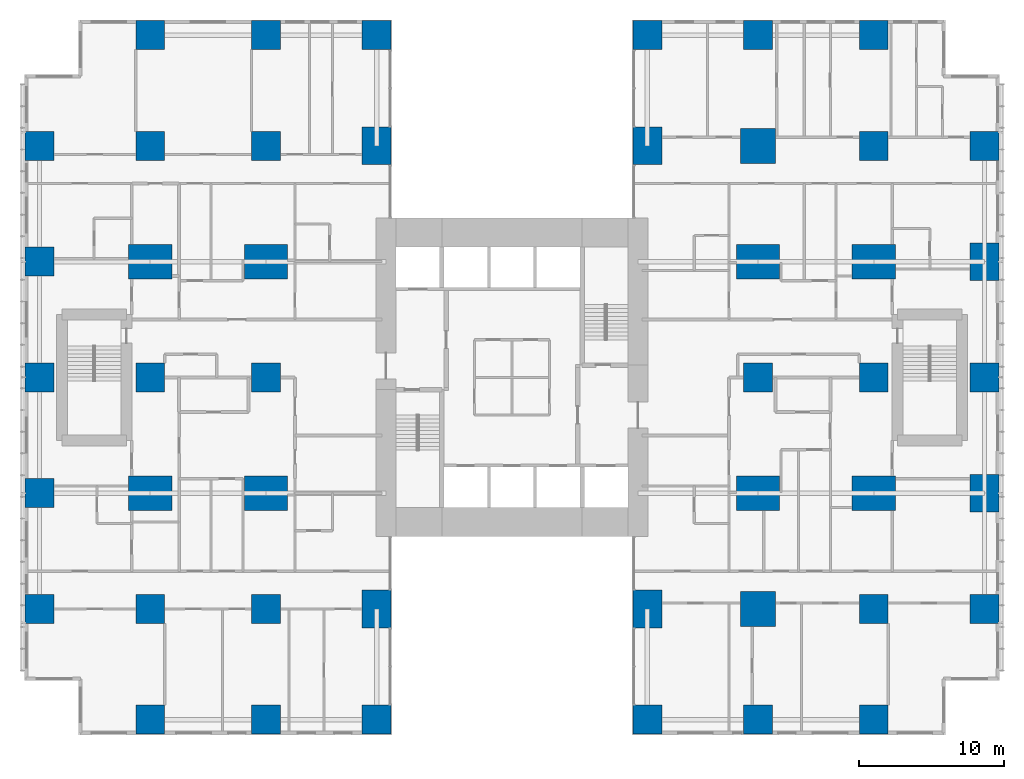
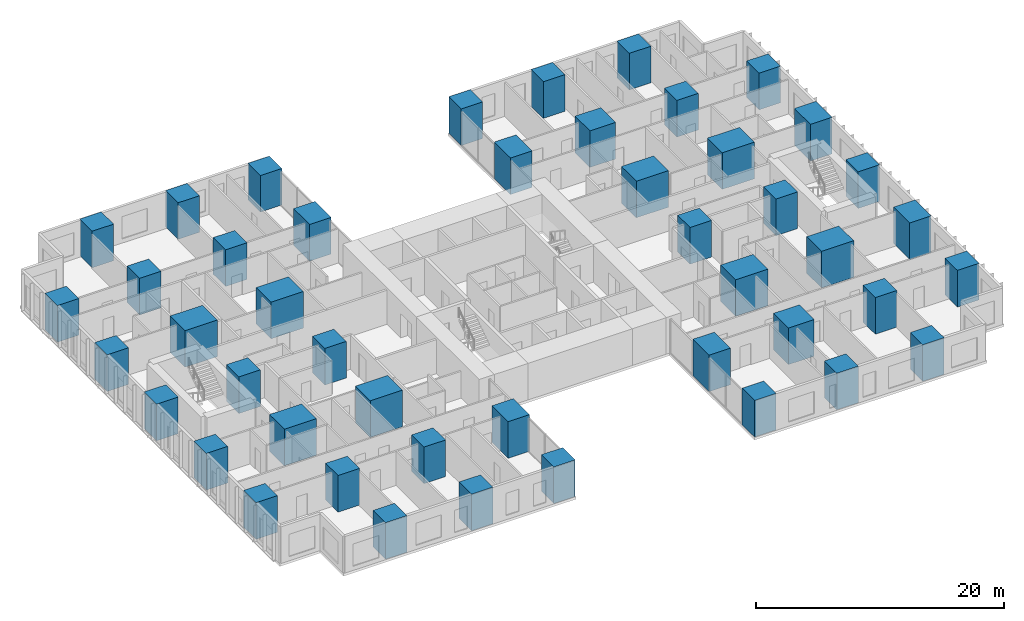
# One storey, part 1 of 20: 46 columns.
"""IFC4 building model written with IfcOpenShell, lengths in metres."""

from ifc_helpers import new_model, si_unit, direction, frame, origin, origin_2d, place, context, subcontext, project, spatial, rectangle, extrude, material, material_profile, profile_set, type_object, element, save


model = new_model("IFC4")

# Units and contexts
model_context = context("Model", 3, precision=1e-05, world=origin(), true_north=direction((0.0, 1.0)))
body_context = subcontext(model_context, "Body", "Model", "MODEL_VIEW")
ifc_project = project(units=[si_unit("LENGTHUNIT", "METRE"), si_unit("AREAUNIT", "SQUARE_METRE"), si_unit("VOLUMEUNIT", "CUBIC_METRE"), si_unit("PLANEANGLEUNIT", "RADIAN"), si_unit("MASSUNIT", "GRAM", prefix="KILO")], contexts=[model_context])

# Site, building, storey
site_placement = place(None, origin())
site = spatial("IfcSite", under=ifc_project, at=site_placement, CompositionType="ELEMENT")
building_placement = place(site_placement, origin())
building = spatial("IfcBuilding", under=site, at=building_placement, Name="Cleftline Residences", CompositionType="ELEMENT")
storey_placement = place(building_placement, frame((0.0, 0.0, 139.39990234375)))
storey = spatial("IfcBuildingStorey", under=building, at=storey_placement, Name="L36", CompositionType="ELEMENT", Elevation=139.39990234375)

# Columns
ifc_material_1 = material(Name="Concrete B70", Category="concrete")
ifc_material_profile_1 = material_profile(ifc_material_1, rectangle(XDim=2.0, YDim=2.0, at=origin_2d()))
ifc_profile_set_1 = profile_set([ifc_material_profile_1], Name="Concrete B70")
column_type_1 = type_object("IfcColumnType", Name="COLUMN RC2000X2000", PredefinedType="COLUMN", material=ifc_profile_set_1)
for number, where, z_axis, x_axis, name in (
    (1, (0.35009765625, 8.0, 0.0), (0.0, 0.0, 1.0), (1.0, 0.0, 0.0), "Column D/3"),
    (2, (0.35009765625, 16.0, 0.0), (0.0, 0.0, 1.0), (1.0, 0.0, 0.0), "Column E/3"),
    (3, (0.35009765625, 24.0, 0.0), (0.0, 0.0, 1.0), (1.0, 0.0, 0.0), "Column F/3"),
    (4, (0.35009765625, 32.0, 0.0), (0.0, 0.0, 1.0), (1.0, 0.0, 0.0), "Column G/3"),
    (5, (0.35009765625, 40.0, 0.0), (0.0, 0.0, 1.0), (1.0, 0.0, 0.0), "Column H/3"),
    (6, (8.0, 0.35009765625, 0.0), (0.0, 0.0, 1.0), (1.0, 0.0, 0.0), "Column C/4"),
    (7, (8.0, 8.0, 0.0), (0.0, 0.0, 1.0), (1.0, 0.0, 0.0), "Column D/4"),
    (8, (8.0, 24.0, 0.0), (0.0, 0.0, 1.0), (1.0, 0.0, 0.0), "Column F/4"),
    (9, (8.0, 40.0, 0.0), (0.0, 0.0, 1.0), (1.0, 0.0, 0.0), "Column H/4"),
    (10, (8.0, 47.64990234375, 0.0), (0.0, 0.0, 1.0), (1.0, 0.0, 0.0), "Column J/4"),
    (11, (16.0, 0.35009765625, 0.0), (0.0, 0.0, 1.0), (1.0, 0.0, 0.0), "Column C/5"),
    (12, (16.0, 8.0, 0.0), (0.0, 0.0, 1.0), (1.0, 0.0, 0.0), "Column D/5"),
    (13, (16.0, 24.0, 0.0), (0.0, 0.0, 1.0), (1.0, 0.0, 0.0), "Column F/5"),
    (14, (16.0, 40.0, 0.0), (0.0, 0.0, 1.0), (1.0, 0.0, 0.0), "Column H/5"),
    (15, (16.0, 47.64990234375, 0.0), (0.0, 0.0, 1.0), (1.0, 0.0, 0.0), "Column J/5"),
    (16, (23.64990234375, 0.35009765625, 0.0), (0.0, 0.0, 1.0), (1.0, 0.0, 0.0), "Column C/6"),
    (17, (23.64990234375, 47.64990234375, 0.0), (0.0, 0.0, 1.0), (1.0, 0.0, 0.0), "Column J/6"),
    (18, (42.35009765625, 0.35009765625, 0.0), (0.0, 0.0, 1.0), (1.0, 0.0, 0.0), "Column C/8"),
    (19, (42.35009765625, 47.64990234375, 0.0), (0.0, 0.0, 1.0), (1.0, 0.0, 0.0), "Column J/8"),
    (20, (50.0, 0.35009765625, 0.0), (0.0, 0.0, 1.0), (1.0, 0.0, 0.0), "Column C/9"),
    (21, (50.0, 24.0, 0.0), (0.0, 0.0, 1.0), (1.0, 0.0, 0.0), "Column F/9"),
    (22, (50.0, 47.64990234375, 0.0), (0.0, 0.0, 1.0), (1.0, 0.0, 0.0), "Column J/9"),
    (23, (58.0, 0.35009765625, 0.0), (0.0, 0.0, 1.0), (1.0, 0.0, 0.0), "Column C/10"),
    (24, (58.0, 8.0, 0.0), (0.0, 0.0, 1.0), (1.0, 0.0, 0.0), "Column D/10"),
    (25, (58.0, 24.0, 0.0), (0.0, 0.0, 1.0), (1.0, 0.0, 0.0), "Column F/10"),
    (26, (58.0, 40.0, 0.0), (0.0, 0.0, 1.0), (1.0, 0.0, 0.0), "Column H/10"),
    (27, (58.0, 47.64990234375, 0.0), (0.0, 0.0, 1.0), (1.0, 0.0, 0.0), "Column J/10"),
    (28, (65.64990234375, 8.0, 0.0), (0.0, 0.0, 1.0), (1.0, 0.0, 0.0), "Column D/11"),
    (29, (65.64990234375, 24.0, 0.0), (0.0, 0.0, 1.0), (1.0, 0.0, 0.0), "Column F/11"),
    (30, (65.64990234375, 40.0, 0.0), (0.0, 0.0, 1.0), (1.0, 0.0, 0.0), "Column H/11"),
):
    element("IfcColumn", number, at=place(storey_placement, frame(where, z_axis=z_axis, x_axis=x_axis)), inside=storey, type_object=column_type_1, Name=name, PredefinedType="COLUMN", context=body_context, shape_type="SweptSolid", body=[
        extrude(rectangle(XDim=2.0, YDim=2.0, at=origin_2d()), origin(), (0.0, 0.0, 1.0), 3.60009765625),
    ])
ifc_material_2 = material(Name="Concrete B70", Category="concrete")
ifc_material_profile_2 = material_profile(ifc_material_2, rectangle(XDim=2.0, YDim=2.60009765625, at=origin_2d()))
ifc_profile_set_2 = profile_set([ifc_material_profile_2], Name="Concrete B70")
column_type_2 = type_object("IfcColumnType", Name="COLUMN RC2000X2600", PredefinedType="COLUMN", material=ifc_profile_set_2)
for number, where, z_axis, x_axis, name in (
    (31, (23.64990234375, 8.0, 0.0), (0.0, 0.0, 1.0), (1.0, 0.0, 0.0), "Column D/6"),
    (32, (23.64990234375, 40.0, 0.0), (0.0, 0.0, 1.0), (1.0, 0.0, 0.0), "Column H/6"),
    (33, (42.35009765625, 8.0, 0.0), (0.0, 0.0, 1.0), (1.0, 0.0, 0.0), "Column D/8"),
    (34, (42.35009765625, 40.0, 0.0), (0.0, 0.0, 1.0), (1.0, 0.0, 0.0), "Column H/8"),
):
    element("IfcColumn", number, at=place(storey_placement, frame(where, z_axis=z_axis, x_axis=x_axis)), inside=storey, type_object=column_type_2, Name=name, PredefinedType="COLUMN", context=body_context, shape_type="SweptSolid", body=[
        extrude(rectangle(XDim=2.0, YDim=2.60009765625, at=origin_2d()), origin(), (0.0, 0.0, 1.0), 3.60009765625),
    ])
ifc_material_3 = material(Name="Concrete B70", Category="concrete")
ifc_material_profile_3 = material_profile(ifc_material_3, rectangle(XDim=2.39990234375, YDim=2.39990234375, at=origin_2d()))
ifc_profile_set_3 = profile_set([ifc_material_profile_3], Name="Concrete B70")
column_type_3 = type_object("IfcColumnType", Name="COLUMN RC2400X2400", PredefinedType="COLUMN", material=ifc_profile_set_3)
for number, where, z_axis, x_axis, name in (
    (35, (50.0, 8.0, 0.0), (0.0, 0.0, 1.0), (1.0, 0.0, 0.0), "Column D/9"),
    (36, (50.0, 40.0, 0.0), (0.0, 0.0, 1.0), (1.0, 0.0, 0.0), "Column H/9"),
):
    element("IfcColumn", number, at=place(storey_placement, frame(where, z_axis=z_axis, x_axis=x_axis)), inside=storey, type_object=column_type_3, Name=name, PredefinedType="COLUMN", context=body_context, shape_type="SweptSolid", body=[
        extrude(rectangle(XDim=2.39990234375, YDim=2.39990234375, at=origin_2d()), origin(), (0.0, 0.0, 1.0), 3.60009765625),
    ])
ifc_material_4 = material(Name="Concrete B70", Category="concrete")
ifc_material_profile_4 = material_profile(ifc_material_4, rectangle(XDim=2.60009765625, YDim=2.0, at=origin_2d()))
ifc_profile_set_4 = profile_set([ifc_material_profile_4], Name="Concrete B70")
column_type_4 = type_object("IfcColumnType", Name="COLUMN RC2600X2000", PredefinedType="COLUMN", material=ifc_profile_set_4)
for number, where, z_axis, x_axis, name in (
    (37, (65.64990234375, 16.0, 0.0), (0.0, 0.0, 1.0), (0.0, 1.0, 0.0), "Column E/11"),
    (38, (65.64990234375, 32.0, 0.0), (0.0, 0.0, 1.0), (0.0, 1.0, 0.0), "Column G/11"),
):
    element("IfcColumn", number, at=place(storey_placement, frame(where, z_axis=z_axis, x_axis=x_axis)), inside=storey, type_object=column_type_4, Name=name, PredefinedType="COLUMN", context=body_context, shape_type="SweptSolid", body=[
        extrude(rectangle(XDim=2.60009765625, YDim=2.0, at=origin_2d()), origin(), (0.0, 0.0, 1.0), 3.60009765625),
    ])
ifc_material_5 = material(Name="Concrete B70", Category="concrete")
ifc_material_profile_5 = material_profile(ifc_material_5, rectangle(XDim=3.0, YDim=2.39990234375, at=origin_2d()))
ifc_profile_set_5 = profile_set([ifc_material_profile_5], Name="Concrete B70")
column_type_5 = type_object("IfcColumnType", Name="COLUMN RC3000X2400", PredefinedType="COLUMN", material=ifc_profile_set_5)
for number, where, z_axis, x_axis, name in (
    (39, (8.0, 16.0, 0.0), (0.0, 0.0, 1.0), (1.0, 0.0, 0.0), "Column E/4"),
    (40, (8.0, 32.0, 0.0), (0.0, 0.0, 1.0), (1.0, 0.0, 0.0), "Column G/4"),
    (41, (16.0, 16.0, 0.0), (0.0, 0.0, 1.0), (1.0, 0.0, 0.0), "Column E/5"),
    (42, (16.0, 32.0, 0.0), (0.0, 0.0, 1.0), (1.0, 0.0, 0.0), "Column G/5"),
    (43, (50.0, 16.0, 0.0), (0.0, 0.0, 1.0), (1.0, 0.0, 0.0), "Column E/9"),
    (44, (50.0, 32.0, 0.0), (0.0, 0.0, 1.0), (1.0, 0.0, 0.0), "Column G/9"),
    (45, (58.0, 16.0, 0.0), (0.0, 0.0, 1.0), (1.0, 0.0, 0.0), "Column E/10"),
    (46, (58.0, 32.0, 0.0), (0.0, 0.0, 1.0), (1.0, 0.0, 0.0), "Column G/10"),
):
    element("IfcColumn", number, at=place(storey_placement, frame(where, z_axis=z_axis, x_axis=x_axis)), inside=storey, type_object=column_type_5, Name=name, PredefinedType="COLUMN", context=body_context, shape_type="SweptSolid", body=[
        extrude(rectangle(XDim=3.0, YDim=2.39990234375, at=origin_2d()), origin(), (0.0, 0.0, 1.0), 3.60009765625),
    ])

save(model, "model.ifc")
